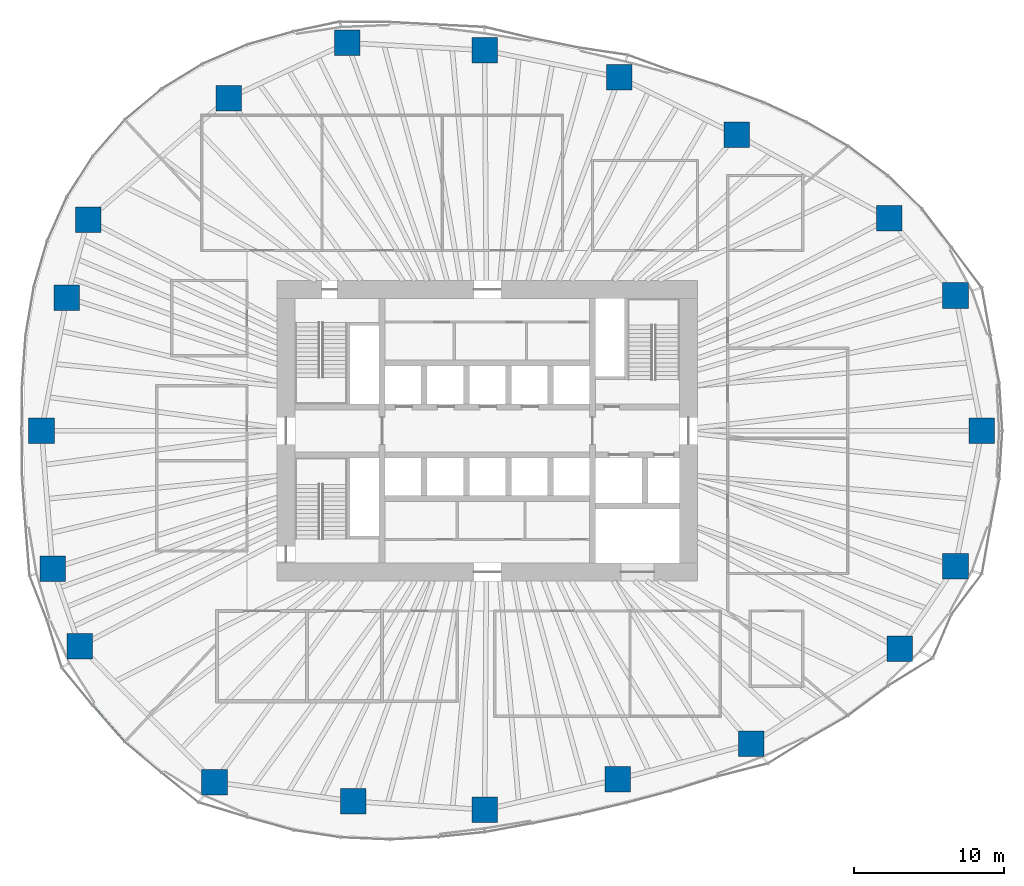
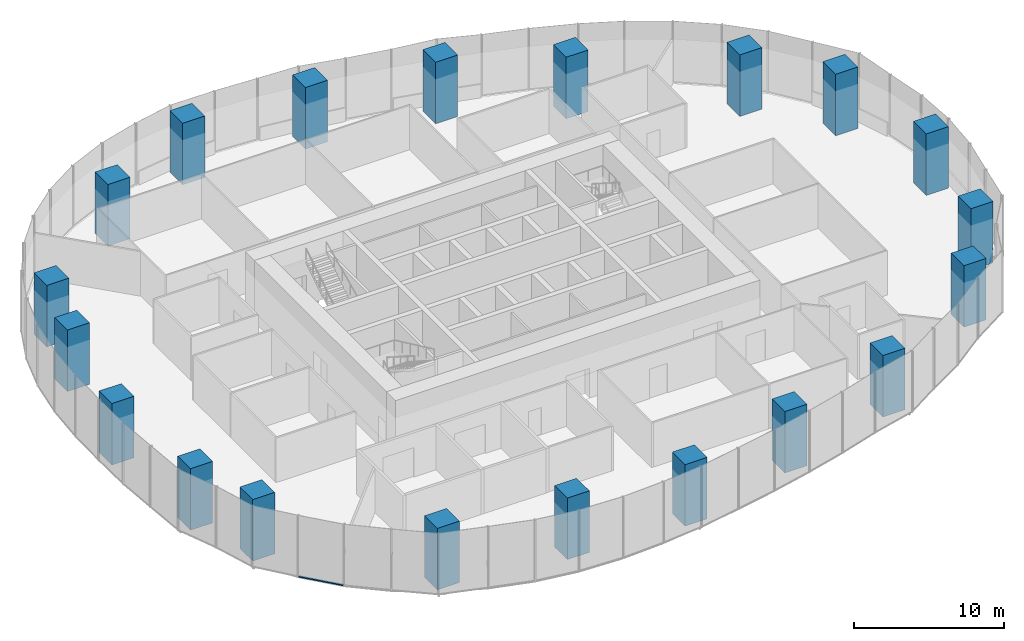
# One storey, part 1 of 20: 20 columns, 1 member, 1 element without a shape of its own.
"""IFC4 building model written with IfcOpenShell, lengths in metres."""

from ifc_helpers import new_model, si_unit, direction, frame, origin, origin_2d, place, context, subcontext, project, spatial, rectangle, extrude, material, material_profile, profile_set, type_object, element, aggregate, save


model = new_model("IFC4")

# Units and contexts
model_context = context("Model", 3, precision=1e-05, world=origin(), true_north=direction((0.0, 1.0)))
body_context = subcontext(model_context, "Body", "Model", "MODEL_VIEW")
ifc_project = project(units=[si_unit("LENGTHUNIT", "METRE"), si_unit("AREAUNIT", "SQUARE_METRE"), si_unit("VOLUMEUNIT", "CUBIC_METRE"), si_unit("PLANEANGLEUNIT", "RADIAN"), si_unit("MASSUNIT", "GRAM", prefix="KILO")], contexts=[model_context])

# Site, building, storey
site_placement = place(None, origin())
site = spatial("IfcSite", under=ifc_project, at=site_placement, CompositionType="ELEMENT")
building_placement = place(site_placement, origin())
building = spatial("IfcBuilding", under=site, at=building_placement, Name="Ghaith Harvest Tower", CompositionType="ELEMENT")
storey_placement = place(building_placement, frame((0.0, 0.0, 65.0)))
storey = spatial("IfcBuildingStorey", under=building, at=storey_placement, Name="L13", CompositionType="ELEMENT", Elevation=65.0)

# Columns
ifc_material_1 = material(Name="Concrete C70/85", Category="concrete")
ifc_material_profile_1 = material_profile(ifc_material_1, rectangle(XDim=1.699951171875, YDim=1.699951171875, at=origin_2d()), Name="RC1700X1700")
ifc_profile_set_1 = profile_set([ifc_material_profile_1], Name="Concrete C70/85")
column_type = type_object("IfcColumnType", Name="TC2 RC1700X1700", PredefinedType="COLUMN", material=ifc_profile_set_1)
for number, where, z_axis, x_axis, name in (
    (1, (32.925048828125, 0.0, 0.0), (0.0, 0.0, 1.0), (1.0, 0.0, 0.0), "Perimeter column C01"),
    (2, (31.166015625, 9.008056640625, 0.0), (0.0, 0.0, 1.0), (1.0, 0.0, 0.0), "Perimeter column C02"),
    (3, (26.763916015625, 14.14697265625, 0.0), (0.0, 0.0, 1.0), (1.0, 0.0, 0.0), "Perimeter column C03"),
    (4, (16.60791015625, 19.695068359375, 0.0), (0.0, 0.0, 1.0), (1.0, 0.0, 0.0), "Perimeter column C04"),
    (5, (8.794921875, 23.527099609375, 0.0), (0.0, 0.0, 1.0), (1.0, 0.0, 0.0), "Perimeter column C05"),
    (6, (-0.173095703125, 25.326904296875, 0.0), (0.0, 0.0, 1.0), (1.0, 0.0, 0.0), "Perimeter column C06"),
    (7, (-9.325927734375, 25.821044921875, 0.0), (0.0, 0.0, 1.0), (1.0, 0.0, 0.0), "Perimeter column C07"),
    (8, (-17.201904296875, 22.14990234375, 0.0), (0.0, 0.0, 1.0), (1.0, 0.0, 0.0), "Perimeter column C08"),
    (9, (-26.572998046875, 14.0458984375, 0.0), (0.0, 0.0, 1.0), (1.0, 0.0, 0.0), "Perimeter column C09"),
    (10, (-27.98291015625, 8.867919921875, 0.0), (0.0, 0.0, 1.0), (1.0, 0.0, 0.0), "Perimeter column C10"),
    (11, (-29.675048828125, 0.0, 0.0), (0.0, 0.0, 1.0), (1.0, 0.0, 0.0), "Perimeter column C11"),
    (12, (-28.929931640625, -9.16796875, 0.0), (0.0, 0.0, 1.0), (1.0, 0.0, 0.0), "Perimeter column C12"),
    (13, (-27.132080078125, -14.341064453125, 0.0), (0.0, 0.0, 1.0), (1.0, 0.0, 0.0), "Perimeter column C13"),
    (14, (-18.157958984375, -23.3798828125, 0.0), (0.0, 0.0, 1.0), (1.0, 0.0, 0.0), "Perimeter column C14"),
    (15, (-8.908935546875, -24.66796875, 0.0), (0.0, 0.0, 1.0), (1.0, 0.0, 0.0), "Perimeter column C15"),
    (16, (-0.173095703125, -25.22412109375, 0.0), (0.0, 0.0, 1.0), (1.0, 0.0, 0.0), "Perimeter column C16"),
    (17, (8.674072265625, -23.202880859375, 0.0), (0.0, 0.0, 1.0), (1.0, 0.0, 0.0), "Perimeter column C17"),
    (18, (17.572021484375, -20.8369140625, 0.0), (0.0, 0.0, 1.0), (1.0, 0.0, 0.0), "Perimeter column C18"),
    (19, (27.448974609375, -14.509033203125, 0.0), (0.0, 0.0, 1.0), (1.0, 0.0, 0.0), "Perimeter column C19"),
    (20, (31.166015625, -9.008056640625, 0.0), (0.0, 0.0, 1.0), (1.0, 0.0, 0.0), "Perimeter column C20"),
):
    element("IfcColumn", number, at=place(storey_placement, frame(where, z_axis=z_axis, x_axis=x_axis)), inside=storey, type_object=column_type, Name=name, PredefinedType="COLUMN", context=body_context, shape_type="SweptSolid", body=[
        extrude(rectangle(XDim=1.699951171875, YDim=1.699951171875, at=origin_2d()), origin(), (0.0, 0.0, 1.0), 5.0),
    ])

# Curtain wall, member
ifc_material_2 = material(Name="Black anodised aluminium and fritted glass", Category="aluminium")
curtain_wall_type = type_object("IfcCurtainWallType", Name="CW-F CURTAIN WALL", PredefinedType="NOTDEFINED", material=ifc_material_2)
curtain_wall_placement = place(storey_placement, origin())
curtain_wall = element("IfcCurtainWall", 21, at=curtain_wall_placement, inside=storey, type_object=curtain_wall_type, Name="Curtain wall CW-F bay 13 L13", PredefinedType="NOTDEFINED")
ifc_material_3 = material(Name="Aluminium, black anodised", Category="aluminium")
ifc_material_profile_2 = material_profile(ifc_material_3, rectangle(XDim=0.139892578125, YDim=0.080078125, at=origin_2d()), Name="CW-F TRANSOM 140x80")
ifc_profile_set_2 = profile_set([ifc_material_profile_2], Name="Aluminium, black anodised")
member_type = type_object("IfcMemberType", Name="CW-F TRANSOM 140x80", PredefinedType="USERDEFINED", material=ifc_profile_set_2)
member_placement = place(storey_placement, frame((-26.23681640625, -18.30419921875, 0.0400390625), z_axis=(0.65923052982, -0.751940894322, 0.0), x_axis=(0.751940894322, 0.65923052982, 0.0)))
member = element("IfcMember", 22, at=member_placement, type_object=member_type, Name="CW-F transom 1 bay 13 L13", ObjectType="TRANSOM", PredefinedType="USERDEFINED", context=body_context, shape_type="SweptSolid", body=[
    extrude(rectangle(XDim=0.139892578125, YDim=0.080078125, at=origin_2d()), origin(), (0.0, 0.0, 1.0), 3.1416015625),
])
aggregate(curtain_wall, [member])

save(model, "model.ifc")
